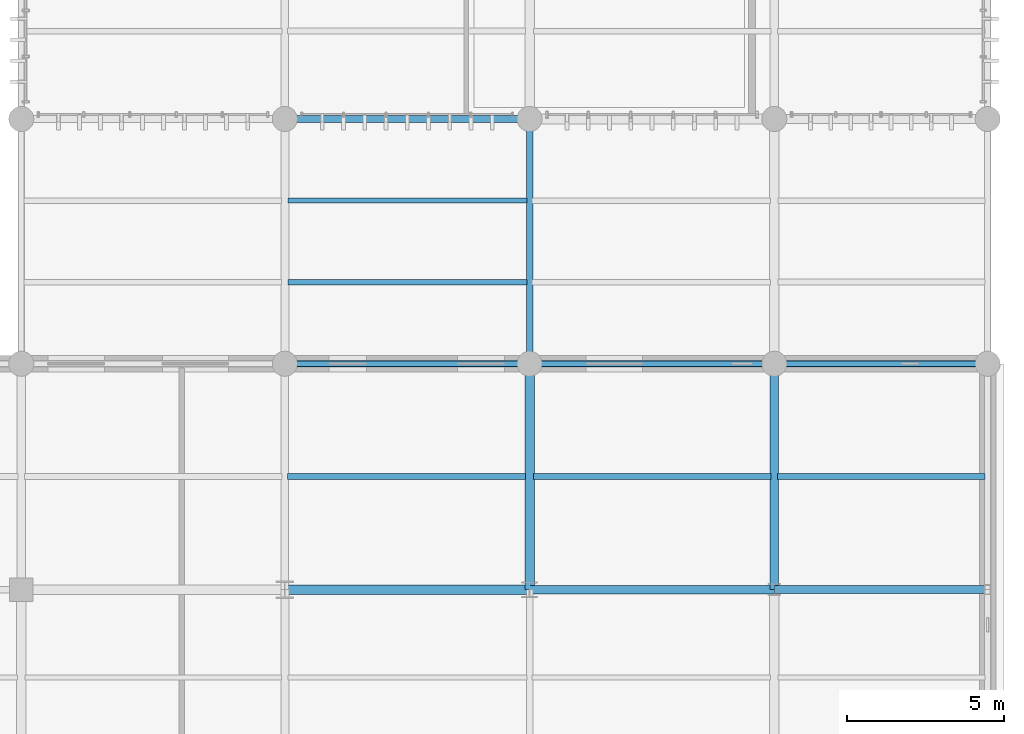
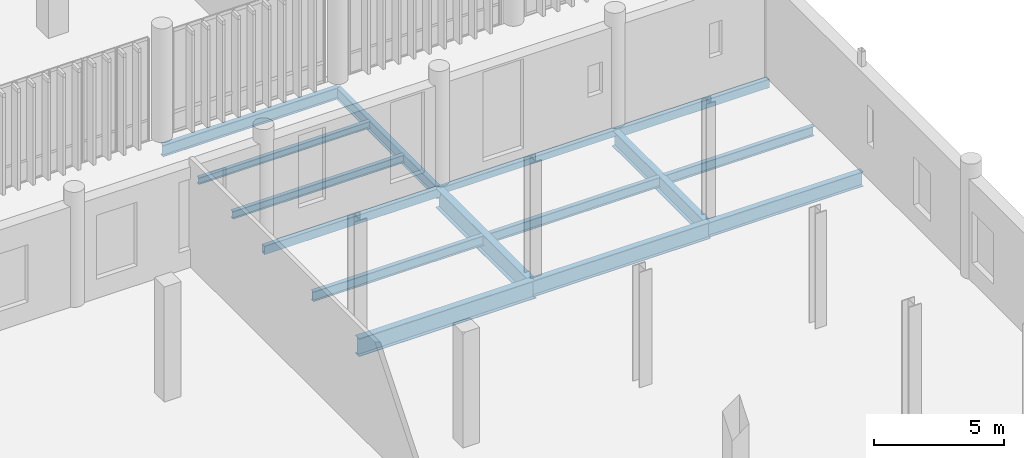
# One storey, part 73 of 128: 15 beams.
"""IFC4 building model written with IfcOpenShell, lengths in metres."""

from ifc_helpers import new_model, si_unit, direction, frame, origin_with_axes, origin_2d_with_axis, place, context, subcontext, project, spatial, hollow_rectangle, i_section, extrude, material, material_profile, profile_set, type_object, element, save


model = new_model("IFC4")

# Units and contexts
model_context = context("Model", 3, precision=1e-05, world=origin_with_axes(), true_north=direction((0.0, 1.0)))
body_context = subcontext(model_context, "Body", "Model", "MODEL_VIEW")
ifc_project = project(units=[si_unit("LENGTHUNIT", "METRE"), si_unit("AREAUNIT", "SQUARE_METRE"), si_unit("VOLUMEUNIT", "CUBIC_METRE"), si_unit("PLANEANGLEUNIT", "RADIAN"), si_unit("MASSUNIT", "GRAM", prefix="KILO"), si_unit("THERMODYNAMICTEMPERATUREUNIT", "KELVIN")], contexts=[model_context])

# Site, building, storey
site_placement = place(None, origin_with_axes())
site = spatial("IfcSite", under=ifc_project, at=site_placement, CompositionType="ELEMENT")
building_placement = place(site_placement, origin_with_axes())
building = spatial("IfcBuilding", under=site, at=building_placement, Name="Montbau Bow Law Courts", CompositionType="ELEMENT")
storey_placement = place(building_placement, frame((0.0, 0.0, 5.4), z_axis=(0.0, 0.0, 1.0), x_axis=(1.0, 0.0, 0.0)))
storey = spatial("IfcBuildingStorey", under=building, at=storey_placement, Name="L01", CompositionType="ELEMENT", Elevation=5.4)

# Beams
ifc_material_1 = material(Name="Steel CSA G40.21 Grade 350W (350 MPa)", Category="steel")
ifc_material_profile_1 = material_profile(ifc_material_1, i_section(OverallWidth=0.306, OverallDepth=0.919, WebThickness=0.0173, FlangeThickness=0.0279, at=origin_2d_with_axis()), Name="W920X253", Category="Main", Priority=0)
ifc_profile_set_1 = profile_set([ifc_material_profile_1], Name="Steel CSA G40.21 Grade 350W (350 MPa)")
beam_type_1 = type_object("IfcBeamType", Name="B-FLR-01", PredefinedType="BEAM", material=ifc_profile_set_1)
beam_1_placement = place(None, frame((154.8, 54.6, 4.651), z_axis=(0.0, 1.0, 0.0), x_axis=(-1.0, 0.0, 0.0)))
element("IfcBeam", 1, at=beam_1_placement, inside=storey, type_object=beam_type_1, Name="BM-L01-S1515:bm2_1518", PredefinedType="BEAM", context=body_context, shape_type="SweptSolid", body=[
    extrude(i_section(OverallWidth=0.306, OverallDepth=0.919, WebThickness=0.0173, FlangeThickness=0.0279, at=origin_2d_with_axis()), origin_with_axes(), (0.0, 0.0, 1.0), 7.2),
])
ifc_material_profile_2 = material_profile(ifc_material_1, i_section(OverallWidth=0.293, OverallDepth=0.846, WebThickness=0.0154, FlangeThickness=0.0244, at=origin_2d_with_axis()), Name="W840X210", Category="Main", Priority=0)
ifc_profile_set_2 = profile_set([ifc_material_profile_2], Name="Steel CSA G40.21 Grade 350W (350 MPa)")
beam_type_2 = type_object("IfcBeamType", Name="B-FLR-02", PredefinedType="BEAM", material=ifc_profile_set_2)
beam_2_placement = place(None, frame((147.0, 54.6, 4.737), z_axis=(1.0, 0.0, 0.0), x_axis=(0.0, 1.0, 0.0)))
element("IfcBeam", 2, at=beam_2_placement, inside=storey, type_object=beam_type_2, Name="BM-L01-S1478:bm2_1481", PredefinedType="BEAM", context=body_context, shape_type="SweptSolid", body=[
    extrude(i_section(OverallWidth=0.293, OverallDepth=0.846, WebThickness=0.0154, FlangeThickness=0.0244, at=origin_2d_with_axis()), origin_with_axes(), (0.0, 0.0, 1.0), 7.8),
])
ifc_material_profile_3 = material_profile(ifc_material_1, i_section(OverallWidth=0.267, OverallDepth=0.766, WebThickness=0.0149, FlangeThickness=0.0236, at=origin_2d_with_axis()), Name="W760X185", Category="Main", Priority=0)
ifc_profile_set_3 = profile_set([ifc_material_profile_3], Name="Steel CSA G40.21 Grade 350W (350 MPa)")
beam_type_3 = type_object("IfcBeamType", Name="B-FLR-03", PredefinedType="BEAM", material=ifc_profile_set_3)
beam_3_placement = place(None, frame((154.8, 54.6, 4.777), z_axis=(1.0, 0.0, 0.0), x_axis=(0.0, 1.0, 0.0)))
element("IfcBeam", 3, at=beam_3_placement, inside=storey, type_object=beam_type_3, Name="BM-L01-S1479:bm2_1482", PredefinedType="BEAM", context=body_context, shape_type="SweptSolid", body=[
    extrude(i_section(OverallWidth=0.267, OverallDepth=0.766, WebThickness=0.0149, FlangeThickness=0.0236, at=origin_2d_with_axis()), origin_with_axes(), (0.0, 0.0, 1.0), 7.8),
])
beam_4_placement = place(None, frame((162.6, 54.6, 4.727), z_axis=(0.0, 1.0, 0.0), x_axis=(-1.0, 0.0, 0.0)))
element("IfcBeam", 4, at=beam_4_placement, inside=storey, type_object=beam_type_3, Name="BM-L01-S1522:bm2_1525", PredefinedType="BEAM", context=body_context, shape_type="SweptSolid", body=[
    extrude(i_section(OverallWidth=0.267, OverallDepth=0.766, WebThickness=0.0149, FlangeThickness=0.0236, at=origin_2d_with_axis()), origin_with_axes(), (0.0, 0.0, 1.0), 7.2),
])
ifc_material_profile_4 = material_profile(ifc_material_1, i_section(OverallWidth=0.254, OverallDepth=0.688, WebThickness=0.0131, FlangeThickness=0.0211, at=origin_2d_with_axis()), Name="W690X152", Category="Main", Priority=0)
ifc_profile_set_4 = profile_set([ifc_material_profile_4], Name="Steel CSA G40.21 Grade 350W (350 MPa)")
beam_type_4 = type_object("IfcBeamType", Name="B-FLR-04", PredefinedType="BEAM", material=ifc_profile_set_4)
beam_5_placement = place(None, frame((162.6, 54.6, 4.806), z_axis=(1.0, 0.0, 0.0), x_axis=(0.0, 1.0, 0.0)))
element("IfcBeam", 5, at=beam_5_placement, inside=storey, type_object=beam_type_4, Name="BM-L01-S1480:bm2_1483", PredefinedType="BEAM", context=body_context, shape_type="SweptSolid", body=[
    extrude(i_section(OverallWidth=0.254, OverallDepth=0.688, WebThickness=0.0131, FlangeThickness=0.0211, at=origin_2d_with_axis()), origin_with_axes(), (0.0, 0.0, 1.0), 6.8),
])
ifc_material_profile_5 = material_profile(ifc_material_1, i_section(OverallWidth=0.21, OverallDepth=0.537, WebThickness=0.0109, FlangeThickness=0.0174, at=origin_2d_with_axis()), Name="W530X101", Category="Main", Priority=0)
ifc_profile_set_5 = profile_set([ifc_material_profile_5], Name="Steel CSA G40.21 Grade 350W (350 MPa)")
beam_type_5 = type_object("IfcBeamType", Name="B-FLR-06", PredefinedType="BEAM", material=ifc_profile_set_5)
for number, where, z_axis, x_axis, name in (
    (6, (147.0, 69.6, 4.841), (1.0, 0.0, 0.0), (0.0, 1.0, 0.0), "BM-L01-S1103:bm2_1106"),
    (7, (154.8, 61.8, 4.841), (0.0, 1.0, 0.0), (-1.0, 0.0, 0.0), "BM-L01-S1144:bm2_1147"),
):
    element("IfcBeam", number, at=place(None, frame(where, z_axis=z_axis, x_axis=x_axis)), inside=storey, type_object=beam_type_5, Name=name, PredefinedType="BEAM", context=body_context, shape_type="SweptSolid", body=[
        extrude(i_section(OverallWidth=0.21, OverallDepth=0.537, WebThickness=0.0109, FlangeThickness=0.0174, at=origin_2d_with_axis()), origin_with_axes(), (0.0, 0.0, 1.0), 7.8),
    ])
ifc_material_profile_6 = material_profile(ifc_material_1, i_section(OverallWidth=0.191, OverallDepth=0.46, WebThickness=0.0099, FlangeThickness=0.016, at=origin_2d_with_axis()), Name="W460X82", Category="Main", Priority=0)
ifc_profile_set_6 = profile_set([ifc_material_profile_6], Name="Steel CSA G40.21 Grade 350W (350 MPa)")
beam_type_6 = type_object("IfcBeamType", Name="B-JST-01", PredefinedType="JOIST", material=ifc_profile_set_6)
beam_6_placement = place(None, frame((147.09, 58.2, 4.88), z_axis=(1.0, 0.0, 0.0), x_axis=(0.0, 1.0, 0.0)))
element("IfcBeam", 8, at=beam_6_placement, inside=storey, type_object=beam_type_6, Name="JST-L01-S0852:jst2_0852", PredefinedType="JOIST", context=body_context, shape_type="SweptSolid", body=[
    extrude(i_section(OverallWidth=0.191, OverallDepth=0.46, WebThickness=0.0099, FlangeThickness=0.016, at=origin_2d_with_axis()), origin_with_axes(), (0.0, 0.0, 1.0), 7.581),
])
beam_7_placement = place(None, frame((154.929, 58.2, 4.88), z_axis=(1.0, 0.0, 0.0), x_axis=(0.0, 1.0, 0.0)))
element("IfcBeam", 9, at=beam_7_placement, inside=storey, type_object=beam_type_6, Name="JST-L01-S0864:jst2_0864", PredefinedType="JOIST", context=body_context, shape_type="SweptSolid", body=[
    extrude(i_section(OverallWidth=0.191, OverallDepth=0.46, WebThickness=0.0099, FlangeThickness=0.016, at=origin_2d_with_axis()), origin_with_axes(), (0.0, 0.0, 1.0), 7.561),
])
beam_8_placement = place(None, frame((162.709, 58.2, 4.88), z_axis=(1.0, 0.0, 0.0), x_axis=(0.0, 1.0, 0.0)))
element("IfcBeam", 10, at=beam_8_placement, inside=storey, type_object=beam_type_6, Name="JST-L01-S0876:jst2_0876", PredefinedType="JOIST", context=body_context, shape_type="SweptSolid", body=[
    extrude(i_section(OverallWidth=0.191, OverallDepth=0.46, WebThickness=0.0099, FlangeThickness=0.016, at=origin_2d_with_axis()), origin_with_axes(), (0.0, 0.0, 1.0), 6.611),
])
ifc_material_profile_7 = material_profile(ifc_material_1, i_section(OverallWidth=0.172, OverallDepth=0.358, WebThickness=0.0079, FlangeThickness=0.0131, at=origin_2d_with_axis()), Name="W360X57", Category="Main", Priority=0)
ifc_profile_set_7 = profile_set([ifc_material_profile_7], Name="Steel CSA G40.21 Grade 350W (350 MPa)")
beam_type_7 = type_object("IfcBeamType", Name="B-JST-03", PredefinedType="JOIST", material=ifc_profile_set_7)
beam_9_placement = place(None, frame((147.103, 64.4, 4.931), z_axis=(1.0, 0.0, 0.0), x_axis=(0.0, 1.0, 0.0)))
element("IfcBeam", 11, at=beam_9_placement, inside=storey, type_object=beam_type_7, Name="JST-L01-S0574:jst2_0574", PredefinedType="JOIST", context=body_context, shape_type="SweptSolid", body=[
    extrude(i_section(OverallWidth=0.172, OverallDepth=0.358, WebThickness=0.0079, FlangeThickness=0.0131, at=origin_2d_with_axis()), origin_with_axes(), (0.0, 0.0, 1.0), 7.616),
])
ifc_material_profile_8 = material_profile(ifc_material_1, i_section(OverallWidth=0.166, OverallDepth=0.313, WebThickness=0.0066, FlangeThickness=0.0112, at=origin_2d_with_axis()), Name="W310X45", Category="Main", Priority=0)
ifc_profile_set_8 = profile_set([ifc_material_profile_8], Name="Steel CSA G40.21 Grade 350W (350 MPa)")
beam_type_8 = type_object("IfcBeamType", Name="B-JST-04", PredefinedType="JOIST", material=ifc_profile_set_8)
beam_10_placement = place(None, frame((147.103, 67.0, 4.954), z_axis=(1.0, 0.0, 0.0), x_axis=(0.0, 1.0, 0.0)))
element("IfcBeam", 12, at=beam_10_placement, inside=storey, type_object=beam_type_8, Name="JST-L01-S0575:jst2_0575", PredefinedType="JOIST", context=body_context, shape_type="SweptSolid", body=[
    extrude(i_section(OverallWidth=0.166, OverallDepth=0.313, WebThickness=0.0066, FlangeThickness=0.0112, at=origin_2d_with_axis()), origin_with_axes(), (0.0, 0.0, 1.0), 7.616),
])
ifc_material_2 = material(Name="Steel CSA G40.21 Grade 350WT (350 MPa)", Category="steel")
ifc_material_profile_9 = material_profile(ifc_material_2, hollow_rectangle(XDim=0.203, YDim=0.406, WallThickness=0.0127, InnerFilletRadius=0.0254, OuterFilletRadius=0.0127, at=origin_2d_with_axis()), Name="HSS406X203X13", Category="Main", Priority=0)
ifc_profile_set_9 = profile_set([ifc_material_profile_9], Name="Steel CSA G40.21 Grade 350WT (350 MPa)")
beam_type_9 = type_object("IfcBeamType", Name="B-SPN-01", PredefinedType="SPANDREL", material=ifc_profile_set_9)
beam_11_placement = place(None, frame((147.0, 61.8, 4.907), z_axis=(1.0, 0.0, 0.0), x_axis=(0.0, 1.0, 0.0)))
element("IfcBeam", 13, at=beam_11_placement, inside=storey, type_object=beam_type_9, Name="SPN-L01-S1099:bm2_1102", PredefinedType="SPANDREL", context=body_context, shape_type="SweptSolid", body=[
    extrude(hollow_rectangle(XDim=0.203, YDim=0.406, WallThickness=0.0127, InnerFilletRadius=0.0254, OuterFilletRadius=0.0127, at=origin_2d_with_axis()), origin_with_axes(), (0.0, 0.0, 1.0), 7.8),
])
beam_12_placement = place(None, frame((162.6, 61.8, 4.907), z_axis=(1.0, 0.0, 0.0), x_axis=(0.0, 1.0, 0.0)))
element("IfcBeam", 14, at=beam_12_placement, inside=storey, type_object=beam_type_9, Name="SPN-L01-S1101:bm2_1104", PredefinedType="SPANDREL", context=body_context, shape_type="SweptSolid", body=[
    extrude(hollow_rectangle(XDim=0.203, YDim=0.406, WallThickness=0.0127, InnerFilletRadius=0.0254, OuterFilletRadius=0.0127, at=origin_2d_with_axis()), origin_with_axes(), (0.0, 0.0, 1.0), 6.8),
])
ifc_material_profile_10 = material_profile(ifc_material_2, hollow_rectangle(XDim=0.203, YDim=0.305, WallThickness=0.0127, InnerFilletRadius=0.0254, OuterFilletRadius=0.0127, at=origin_2d_with_axis()), Name="HSS305X203X13", Category="Main", Priority=0)
ifc_profile_set_10 = profile_set([ifc_material_profile_10], Name="Steel CSA G40.21 Grade 350WT (350 MPa)")
beam_type_10 = type_object("IfcBeamType", Name="B-SPN-02", PredefinedType="SPANDREL", material=ifc_profile_set_10)
beam_13_placement = place(None, frame((154.8, 61.8, 4.958), z_axis=(1.0, 0.0, 0.0), x_axis=(0.0, 1.0, 0.0)))
element("IfcBeam", 15, at=beam_13_placement, inside=storey, type_object=beam_type_10, Name="SPN-L01-S1100:bm2_1103", PredefinedType="SPANDREL", context=body_context, shape_type="SweptSolid", body=[
    extrude(hollow_rectangle(XDim=0.203, YDim=0.305, WallThickness=0.0127, InnerFilletRadius=0.0254, OuterFilletRadius=0.0127, at=origin_2d_with_axis()), origin_with_axes(), (0.0, 0.0, 1.0), 7.8),
])

save(model, "model.ifc")
